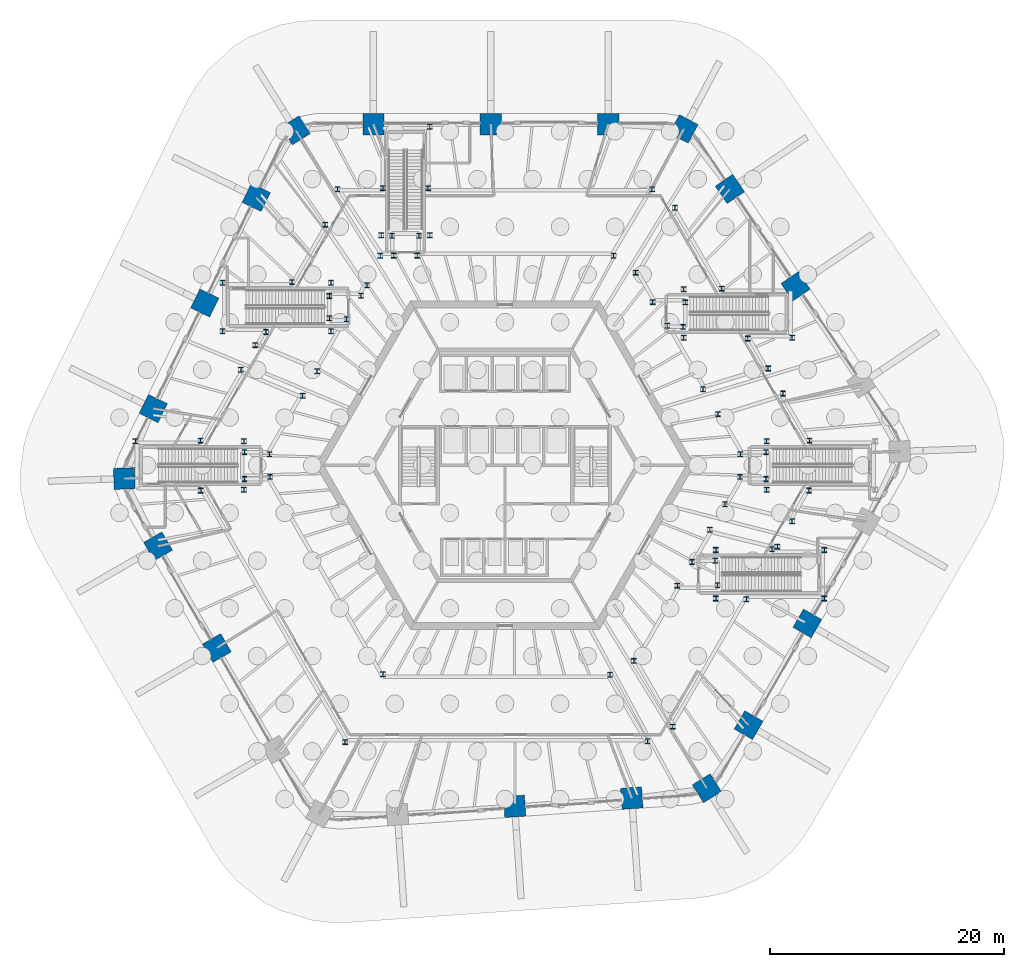
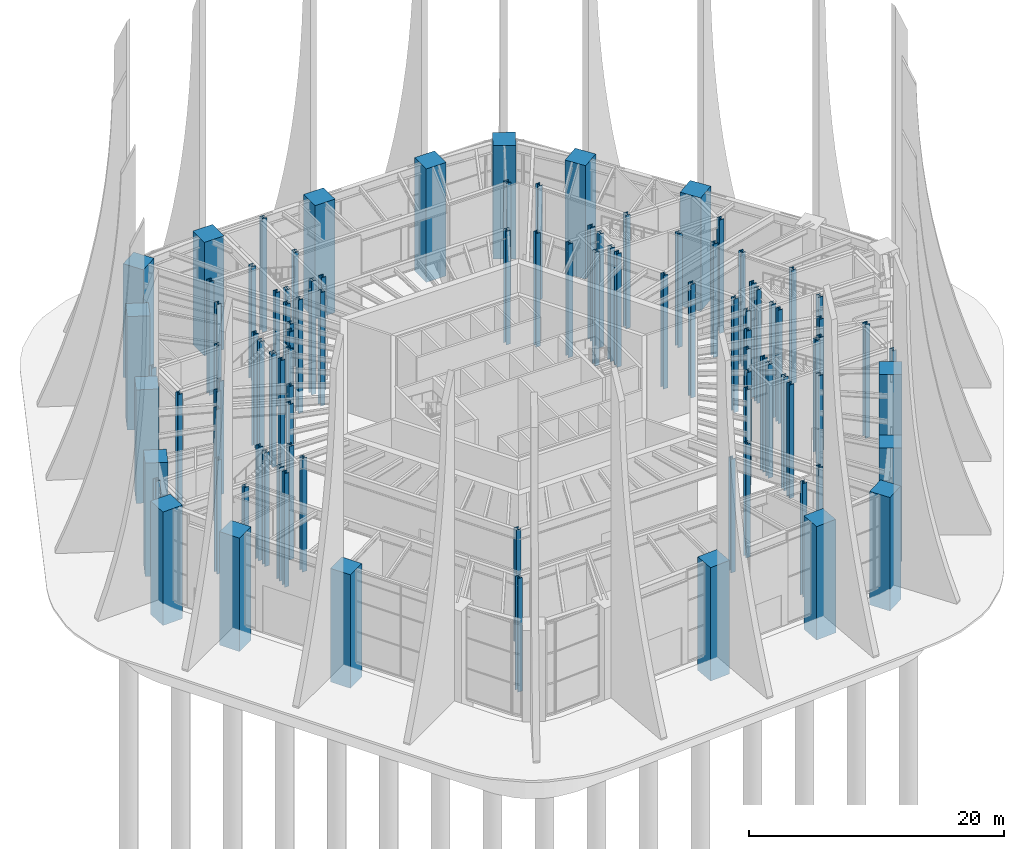
# One storey, part 2 of 43: 99 columns.
"""IFC4 building model written with IfcOpenShell, lengths in metres."""

from ifc_helpers import new_model, si_unit, direction, frame, origin, origin_2d, place, context, subcontext, project, spatial, rectangle, i_section, extrude, material, material_profile, profile_set, type_object, element, save


model = new_model("IFC4")

# Units and contexts
model_context = context("Model", 3, precision=1e-05, world=origin(), true_north=direction((0.0, 1.0)))
body_context = subcontext(model_context, "Body", "Model", "MODEL_VIEW")
ifc_project = project(units=[si_unit("LENGTHUNIT", "METRE"), si_unit("AREAUNIT", "SQUARE_METRE"), si_unit("VOLUMEUNIT", "CUBIC_METRE"), si_unit("PLANEANGLEUNIT", "RADIAN"), si_unit("MASSUNIT", "GRAM", prefix="KILO")], contexts=[model_context])

# Site, building, storey
site_placement = place(None, origin())
site = spatial("IfcSite", under=ifc_project, at=site_placement, CompositionType="ELEMENT")
building_placement = place(site_placement, origin())
building = spatial("IfcBuilding", under=site, at=building_placement, Name="Tarnside Tower", CompositionType="ELEMENT")
storey_placement = place(building_placement, origin())
storey = spatial("IfcBuildingStorey", under=building, at=storey_placement, Name="L00", CompositionType="ELEMENT", Elevation=0.0)

# Columns
ifc_material_1 = material(Name="Concrete C80/95", Category="concrete")
ifc_material_profile_1 = material_profile(ifc_material_1, rectangle(XDim=1.800048828125, YDim=1.800048828125, at=origin_2d()), Name="Mega column 1800x1800")
ifc_profile_set_1 = profile_set([ifc_material_profile_1], Name="Concrete C80/95")
column_type_1 = type_object("IfcColumnType", Name="Mega column 1800 C80/95", PredefinedType="COLUMN", material=ifc_profile_set_1)
for number, where, z_axis, x_axis, name in (
    (1, (8.8125, 29.10009765625, -2.10009765625), (0.0, 0.0, 1.0), (1.0, 0.0, 0.0), "Mega column M01"),
    (2, (-1.211181640625, 29.10009765625, -2.10009765625), (0.0, 0.0, 1.0), (1.0, 0.0, 0.0), "Mega column M02"),
    (3, (-11.23486328125, 29.10009765625, -2.10009765625), (0.0, 0.0, 1.0), (1.0, 0.0, 0.0), "Mega column M03"),
    (4, (-17.861083984375, 28.58349609375, -2.10009765625), (0.0, 0.0, 1.0), (0.848048096156, 0.529919264233, 0.0), "Mega column M04"),
    (5, (-21.22998046875, 22.854248046875, -2.10009765625), (0.0, 0.0, 1.0), (0.438371146789, 0.898794046299, 0.0), "Mega column M05"),
    (6, (-25.6240234375, 13.84521484375, -2.10009765625), (0.0, 0.0, 1.0), (0.438371146789, 0.898794046299, 0.0), "Mega column M06"),
    (7, (-30.01806640625, 4.8359375, -2.10009765625), (0.0, 0.0, 1.0), (0.438371146789, 0.898794046299, 0.0), "Mega column M07"),
    (8, (-32.486083984375, -1.134521484375, -2.10009765625), (0.0, 0.0, 1.0), (-0.034899496703, 0.999390827019, 0.0), "Mega column M08"),
    (9, (-29.607666015625, -6.918212890625, -2.10009765625), (0.0, 0.0, 1.0), (-0.5, 0.866025403784, 0.0), "Mega column M09"),
    (10, (-24.595703125, -15.598876953125, -2.10009765625), (0.0, 0.0, 1.0), (-0.5, 0.866025403784, 0.0), "Mega column M10"),
    (11, (0.82177734375, -29.113525390625, -2.10009765625), (0.0, 0.0, 1.0), (-0.99756405026, -0.069756473744, 0.0), "Mega column M14"),
    (12, (10.821044921875, -28.414306640625, -2.10009765625), (0.0, 0.0, 1.0), (-0.99756405026, -0.069756473744, 0.0), "Mega column M15"),
    (13, (17.225341796875, -27.56640625, -2.10009765625), (0.0, 0.0, 1.0), (-0.848048096156, -0.529919264233, 0.0), "Mega column M16"),
    (14, (20.794921875, -22.181884765625, -2.10009765625), (0.0, 0.0, 1.0), (-0.5, -0.866025403784, 0.0), "Mega column M17"),
    (15, (25.806884765625, -13.501220703125, -2.10009765625), (0.0, 0.0, 1.0), (-0.5, -0.866025403784, 0.0), "Mega column M18"),
    (16, (24.80224609375, 15.2685546875, -2.10009765625), (0.0, 0.0, 1.0), (0.559192903471, -0.829037572555, 0.0), "Mega column M22"),
    (17, (19.197021484375, 23.57861328125, -2.10009765625), (0.0, 0.0, 1.0), (0.559192903471, -0.829037572555, 0.0), "Mega column M23"),
    (18, (15.260498046875, 28.700927734375, -2.10009765625), (0.0, 0.0, 1.0), (0.882947592859, -0.469471562786, 0.0), "Mega column M24"),
):
    element("IfcColumn", number, at=place(storey_placement, frame(where, z_axis=z_axis, x_axis=x_axis)), inside=storey, type_object=column_type_1, Name=name, PredefinedType="COLUMN", context=body_context, shape_type="SweptSolid", body=[
        extrude(rectangle(XDim=1.800048828125, YDim=1.800048828125, at=origin_2d()), origin(), (0.0, 0.0, 1.0), 10.85009765625),
    ])
ifc_material_2 = material(Name="Steel S460", Category="steel")
ifc_material_profile_2 = material_profile(ifc_material_2, i_section(OverallWidth=0.412109375, OverallDepth=0.4365234375, WebThickness=0.035888671875, FlangeThickness=0.05810546875, FilletRadius=0.01513671875, at=origin_2d()), Name="UC 356x406x467")
ifc_profile_set_2 = profile_set([ifc_material_profile_2], Name="Steel S460")
column_type_2 = type_object("IfcColumnType", Name="Steel column UC 356x406x467", PredefinedType="COLUMN", material=ifc_profile_set_2)
for number, where, z_axis, x_axis, name in (
    (19, (22.276123046875, 1.12109375, -2.10009765625), (0.0, 0.0, 1.0), (1.0, 0.0, 0.0), "Trimmer column V01.01"),
    (20, (20.090576171875, 0.947998046875, -2.10009765625), (0.0, 0.0, 1.0), (1.0, 0.0, 0.0), "Trimmer column V01.02"),
    (21, (18.174072265625, 4.3642578125, -2.10009765625), (0.0, 0.0, 1.0), (1.0, 0.0, 0.0), "Trimmer column V01.03"),
    (22, (23.72802734375, 6.121826171875, -2.10009765625), (0.0, 0.0, 1.0), (1.0, 0.0, 0.0), "Trimmer column V01.04"),
    (23, (25.98291015625, 2.103759765625, -2.10009765625), (0.0, 0.0, 1.0), (1.0, 0.0, 0.0), "Trimmer column V01.05"),
    (24, (25.9541015625, -2.15380859375, -2.10009765625), (0.0, 0.0, 1.0), (1.0, 0.0, 0.0), "Trimmer column V01.08"),
    (25, (24.50927734375, -4.776123046875, -2.10009765625), (0.0, 0.0, 1.0), (1.0, 0.0, 0.0), "Trimmer column V01.09"),
    (26, (18.775634765625, -3.33203125, -2.10009765625), (0.0, 0.0, 1.0), (1.0, 0.0, 0.0), "Trimmer column V01.10"),
    (27, (20.061767578125, -0.997802734375, -2.10009765625), (0.0, 0.0, 1.0), (1.0, 0.0, 0.0), "Trimmer column V01.11"),
    (28, (22.276123046875, -1.171142578125, -2.10009765625), (0.0, 0.0, 1.0), (1.0, 0.0, 0.0), "Trimmer column V01.12"),
    (29, (15.95703125, -8.25390625, -2.10009765625), (0.0, 0.0, 1.0), (1.0, 0.0, 0.0), "Trimmer column V02.01"),
    (30, (17.478759765625, -5.498291015625, -2.10009765625), (0.0, 0.0, 1.0), (1.0, 0.0, 0.0), "Trimmer column V02.02"),
    (31, (23.25048828125, -6.9423828125, -2.10009765625), (0.0, 0.0, 1.0), (1.0, 0.0, 0.0), "Trimmer column V02.03"),
    (32, (22.788330078125, -7.171142578125, -2.10009765625), (0.0, 0.0, 1.0), (1.0, 0.0, 0.0), "Trimmer column V02.04"),
    (33, (27.25537109375, -7.229736328125, -2.10009765625), (0.0, 0.0, 1.0), (1.0, 0.0, 0.0), "Trimmer column V02.05"),
    (34, (27.25537109375, -11.370361328125, -2.10009765625), (0.0, 0.0, 1.0), (1.0, 0.0, 0.0), "Trimmer column V02.06"),
    (35, (20.59912109375, -11.4287109375, -2.10009765625), (0.0, 0.0, 1.0), (1.0, 0.0, 0.0), "Trimmer column V02.07"),
    (36, (14.318359375, -22.3076171875, -2.10009765625), (0.0, 0.0, 1.0), (1.0, 0.0, 0.0), "Trimmer column V02.08"),
    (37, (10.99609375, -16.699951171875, -2.10009765625), (0.0, 0.0, 1.0), (1.0, 0.0, 0.0), "Trimmer column V02.09"),
    (38, (14.706787109375, -10.27294921875, -2.10009765625), (0.0, 0.0, 1.0), (1.0, 0.0, 0.0), "Trimmer column V02.10"),
    (39, (18.13623046875, -10.24609375, -2.10009765625), (0.0, 0.0, 1.0), (1.0, 0.0, 0.0), "Trimmer column V02.11"),
    (40, (17.936279296875, -8.15380859375, -2.10009765625), (0.0, 0.0, 1.0), (1.0, 0.0, 0.0), "Trimmer column V02.12"),
    (41, (12.599609375, 13.9228515625, -2.10009765625), (0.0, 0.0, 1.0), (1.0, 0.0, 0.0), "Trimmer column V03.01"),
    (42, (11.146728515625, 16.440673828125, -2.10009765625), (0.0, 0.0, 1.0), (1.0, 0.0, 0.0), "Trimmer column V03.02"),
    (43, (14.51708984375, 21.9658203125, -2.10009765625), (0.0, 0.0, 1.0), (1.0, 0.0, 0.0), "Trimmer column V03.03"),
    (44, (18.491943359375, 15.078857421875, -2.10009765625), (0.0, 0.0, 1.0), (1.0, 0.0, 0.0), "Trimmer column V03.04"),
    (45, (24.50537109375, 10.879638671875, -2.10009765625), (0.0, 0.0, 1.0), (1.0, 0.0, 0.0), "Trimmer column V03.06"),
    (46, (20.718994140625, 10.8212890625, -2.10009765625), (0.0, 0.0, 1.0), (1.0, 0.0, 0.0), "Trimmer column V03.07"),
    (47, (22.461181640625, 8.25341796875, -2.10009765625), (0.0, 0.0, 1.0), (1.0, 0.0, 0.0), "Trimmer column V03.08"),
    (48, (16.9072265625, 6.495849609375, -2.10009765625), (0.0, 0.0, 1.0), (1.0, 0.0, 0.0), "Trimmer column V03.09"),
    (49, (13.849609375, 11.90380859375, -2.10009765625), (0.0, 0.0, 1.0), (1.0, 0.0, 0.0), "Trimmer column V03.10"),
    (50, (15.186279296875, 11.8037109375, -2.10009765625), (0.0, 0.0, 1.0), (1.0, 0.0, 0.0), "Trimmer column V03.11"),
    (51, (15.385986328125, 13.896240234375, -2.10009765625), (0.0, 0.0, 1.0), (1.0, 0.0, 0.0), "Trimmer column V03.12"),
    (52, (-14.298828125, 23.548583984375, -2.10009765625), (0.0, 0.0, 1.0), (1.0, 0.0, 0.0), "Trimmer column V04.01"),
    (53, (-10.418701171875, 23.65380859375, -2.10009765625), (0.0, 0.0, 1.0), (1.0, 0.0, 0.0), "Trimmer column V04.02"),
    (54, (-6.41943359375, 28.895263671875, -2.10009765625), (0.0, 0.0, 1.0), (1.0, 0.0, 0.0), "Trimmer column V04.04"),
    (55, (-6.560791015625, 23.65380859375, -2.10009765625), (0.0, 0.0, 1.0), (1.0, 0.0, 0.0), "Trimmer column V04.05"),
    (56, (12.56103515625, 23.552734375, -2.10009765625), (0.0, 0.0, 1.0), (1.0, 0.0, 0.0), "Trimmer column V04.06"),
    (57, (9.268798828125, 17.872314453125, -2.10009765625), (0.0, 0.0, 1.0), (1.0, 0.0, 0.0), "Trimmer column V04.07"),
    (58, (-7.485107421875, 17.90478515625, -2.10009765625), (0.0, 0.0, 1.0), (1.0, 0.0, 0.0), "Trimmer column V04.08"),
    (59, (-7.343505859375, 19.576171875, -2.10009765625), (0.0, 0.0, 1.0), (1.0, 0.0, 0.0), "Trimmer column V04.09"),
    (60, (-9.635986328125, 19.576171875, -2.10009765625), (0.0, 0.0, 1.0), (1.0, 0.0, 0.0), "Trimmer column V04.10"),
    (61, (-9.494384765625, 17.90478515625, -2.10009765625), (0.0, 0.0, 1.0), (1.0, 0.0, 0.0), "Trimmer column V04.11"),
    (62, (-10.64599609375, 17.8701171875, -2.10009765625), (0.0, 0.0, 1.0), (1.0, 0.0, 0.0), "Trimmer column V04.12"),
    (63, (12.159912109375, -23.5537109375, -2.10009765625), (0.0, 0.0, 1.0), (1.0, 0.0, 0.0), "Trimmer column V05.01"),
    (64, (-13.64111328125, -23.627197265625, -2.10009765625), (0.0, 0.0, 1.0), (1.0, 0.0, 0.0), "Trimmer column V05.02"),
    (65, (-25.9541015625, -2.15380859375, -2.10009765625), (0.0, 0.0, 1.0), (1.0, 0.0, 0.0), "Trimmer column V05.03"),
    (66, (-31.54541015625, 2.04541015625, -2.10009765625), (0.0, 0.0, 1.0), (1.0, 0.0, 0.0), "Trimmer column V05.05"),
    (67, (-25.98291015625, 2.103759765625, -2.10009765625), (0.0, 0.0, 1.0), (1.0, 0.0, 0.0), "Trimmer column V05.06"),
    (68, (-22.5458984375, 8.1572265625, -2.10009765625), (0.0, 0.0, 1.0), (1.0, 0.0, 0.0), "Trimmer column V05.07"),
    (69, (-17.265380859375, 5.923583984375, -2.10009765625), (0.0, 0.0, 1.0), (1.0, 0.0, 0.0), "Trimmer column V05.08"),
    (70, (-20.090576171875, 0.947998046875, -2.10009765625), (0.0, 0.0, 1.0), (1.0, 0.0, 0.0), "Trimmer column V05.09"),
    (71, (-22.226318359375, 1.12109375, -2.10009765625), (0.0, 0.0, 1.0), (1.0, 0.0, 0.0), "Trimmer column V05.10"),
    (72, (-22.226318359375, -1.171142578125, -2.10009765625), (0.0, 0.0, 1.0), (1.0, 0.0, 0.0), "Trimmer column V05.11"),
    (73, (-20.061767578125, -0.997802734375, -2.10009765625), (0.0, 0.0, 1.0), (1.0, 0.0, 0.0), "Trimmer column V05.12"),
    (74, (-10.4189453125, -17.84619140625, -2.10009765625), (0.0, 0.0, 1.0), (1.0, 0.0, 0.0), "Trimmer column V05.13"),
    (75, (8.964599609375, -17.872802734375, -2.10009765625), (0.0, 0.0, 1.0), (1.0, 0.0, 0.0), "Trimmer column V05.14"),
    (76, (-16.033935546875, 8.0205078125, -2.10009765625), (0.0, 0.0, 1.0), (1.0, 0.0, 0.0), "Trimmer column V06.01"),
    (77, (-21.314453125, 10.25439453125, -2.10009765625), (0.0, 0.0, 1.0), (1.0, 0.0, 0.0), "Trimmer column V06.02"),
    (78, (-20.401611328125, 11.37109375, -2.10009765625), (0.0, 0.0, 1.0), (1.0, 0.0, 0.0), "Trimmer column V06.03"),
    (79, (-24.105224609375, 11.4296875, -2.10009765625), (0.0, 0.0, 1.0), (1.0, 0.0, 0.0), "Trimmer column V06.04"),
    (80, (-24.105224609375, 15.5703125, -2.10009765625), (0.0, 0.0, 1.0), (1.0, 0.0, 0.0), "Trimmer column V06.05"),
    (81, (-18.17431640625, 15.62890625, -2.10009765625), (0.0, 0.0, 1.0), (1.0, 0.0, 0.0), "Trimmer column V06.06"),
    (82, (-15.347900390625, 20.536376953125, -2.10009765625), (0.0, 0.0, 1.0), (1.0, 0.0, 0.0), "Trimmer column V06.07"),
    (83, (-11.776611328125, 15.35546875, -2.10009765625), (0.0, 0.0, 1.0), (1.0, 0.0, 0.0), "Trimmer column V06.08"),
    (84, (-12.281982421875, 14.472900390625, -2.10009765625), (0.0, 0.0, 1.0), (1.0, 0.0, 0.0), "Trimmer column V06.09"),
    (85, (-14.986083984375, 14.4462890625, -2.10009765625), (0.0, 0.0, 1.0), (1.0, 0.0, 0.0), "Trimmer column V06.10"),
    (86, (-14.986083984375, 12.5537109375, -2.10009765625), (0.0, 0.0, 1.0), (1.0, 0.0, 0.0), "Trimmer column V06.11"),
    (87, (-13.5322265625, 12.453857421875, -2.10009765625), (0.0, 0.0, 1.0), (1.0, 0.0, 0.0), "Trimmer column V06.12"),
    (88, (-6.41943359375, 19.634765625, -2.10009765625), (0.0, 0.0, 1.0), (1.0, 0.0, 0.0), "Trimmer column V01.03.c"),
    (89, (-10.56005859375, 19.634765625, -2.10009765625), (0.0, 0.0, 1.0), (1.0, 0.0, 0.0), "Trimmer column V01.04.c"),
    (90, (-22.28466796875, 2.04541015625, -2.10009765625), (0.0, 0.0, 1.0), (1.0, 0.0, 0.0), "Trimmer column V02.03.c"),
    (91, (-22.28466796875, -2.09521484375, -2.10009765625), (0.0, 0.0, 1.0), (1.0, 0.0, 0.0), "Trimmer column V02.04.c"),
    (92, (22.334716796875, -2.09521484375, -2.10009765625), (0.0, 0.0, 1.0), (1.0, 0.0, 0.0), "Trimmer column V03.03.c"),
    (93, (22.334716796875, 2.04541015625, -2.10009765625), (0.0, 0.0, 1.0), (1.0, 0.0, 0.0), "Trimmer column V03.04.c"),
    (94, (15.24462890625, 10.879638671875, -2.10009765625), (0.0, 0.0, 1.0), (1.0, 0.0, 0.0), "Trimmer column V04.03.c"),
    (95, (15.24462890625, 15.020263671875, -2.10009765625), (0.0, 0.0, 1.0), (1.0, 0.0, 0.0), "Trimmer column V04.04.c"),
    (96, (17.99462890625, -11.370361328125, -2.10009765625), (0.0, 0.0, 1.0), (1.0, 0.0, 0.0), "Trimmer column V05.03.c"),
    (97, (17.99462890625, -7.229736328125, -2.10009765625), (0.0, 0.0, 1.0), (1.0, 0.0, 0.0), "Trimmer column V05.04.c"),
    (98, (-14.8447265625, 15.5703125, -2.10009765625), (0.0, 0.0, 1.0), (1.0, 0.0, 0.0), "Trimmer column V06.03.c"),
    (99, (-14.8447265625, 11.4296875, -2.10009765625), (0.0, 0.0, 1.0), (1.0, 0.0, 0.0), "Trimmer column V06.04.c"),
):
    element("IfcColumn", number, at=place(storey_placement, frame(where, z_axis=z_axis, x_axis=x_axis)), inside=storey, type_object=column_type_2, Name=name, PredefinedType="COLUMN", context=body_context, shape_type="SweptSolid", body=[
        extrude(i_section(OverallWidth=0.412109375, OverallDepth=0.4365234375, WebThickness=0.035888671875, FlangeThickness=0.05810546875, FilletRadius=0.01513671875, at=origin_2d()), origin(), (0.0, 0.0, 1.0), 10.85009765625),
    ])

save(model, "model.ifc")
